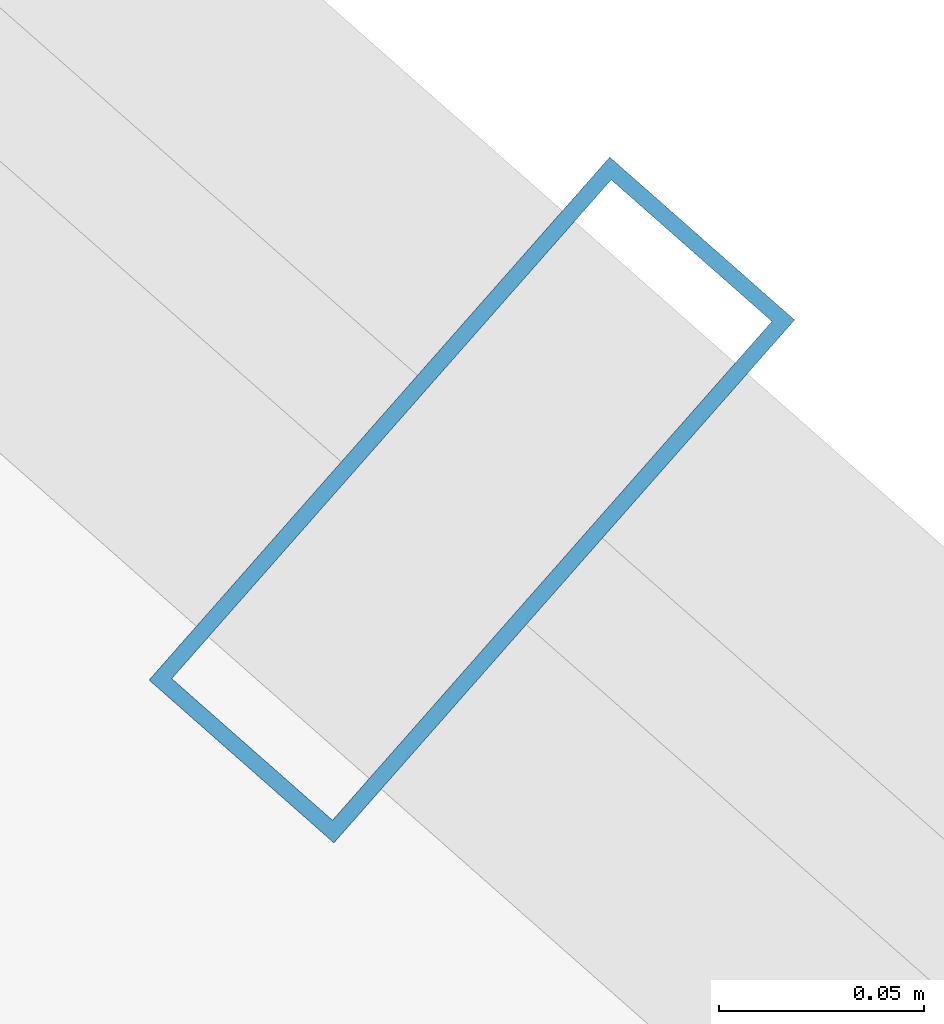
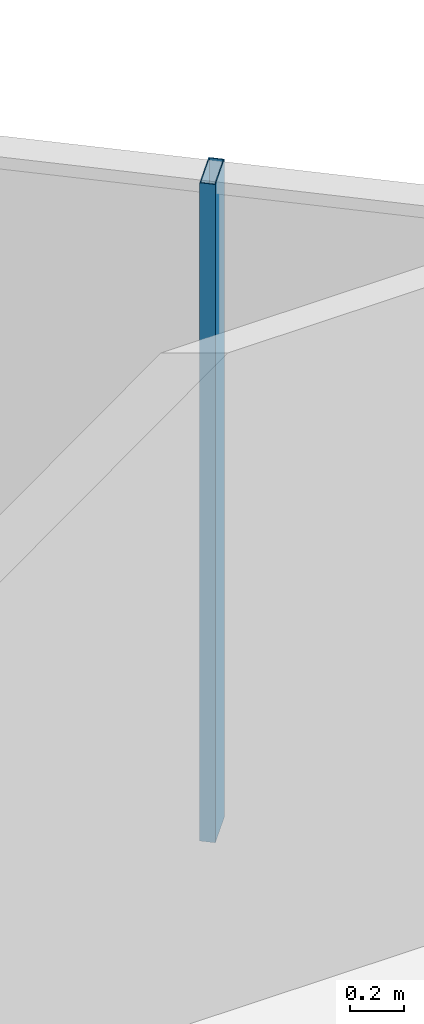
# One storey, part 24 of 32: 1 member, 1 element without a shape of its own.
"""IFC4 building model written with IfcOpenShell, lengths in metres."""

import ifcopenshell
import ifcopenshell.guid

model = None  # the IFC model being written
_history = None  # IfcOwnerHistory: only IFC2X3 demands one
_inside = {}  # id of a spatial element -> (the spatial element, [elements in it])
_under = {}  # id of a project, library or spatial element -> (it, [spatial elements below it])
_declared = {}  # id of a project -> (the project, [libraries it declares])
_typed = {}  # id of a type object -> (the type object, [elements of that type])
_made_of = {}  # id of a material, layer set ... -> (it, [elements and type objects made of it])


def new_model(schema):
    """Start an empty IFC model of exactly this schema.

    Asked for "IFC4X3", IfcOpenShell would pick the latest addendum, in which some entities
    have other attributes; the version numbers below select the first issue.
    IFC2X3 requires an IfcOwnerHistory on every rooted entity: one is made here for all.
    """
    global model, _history
    if schema == "IFC4X3":
        model = ifcopenshell.file(schema_version=(4, 3, 0, 0))
    else:
        model = ifcopenshell.file(schema=schema)
    _inside.clear()
    _under.clear()
    _declared.clear()
    _typed.clear()
    _made_of.clear()
    _history = None
    if model.schema == "IFC2X3":
        org = make("IfcOrganization", Name="unknown")
        user = make(
            "IfcPersonAndOrganization",
            ThePerson=make("IfcPerson", FamilyName="unknown"),
            TheOrganization=org,
        )
        app = make(
            "IfcApplication",
            ApplicationDeveloper=org,
            Version="unknown",
            ApplicationFullName="unknown",
            ApplicationIdentifier="unknown",
        )
        _history = make(
            "IfcOwnerHistory",
            OwningUser=user,
            OwningApplication=app,
            ChangeAction="ADDED",
            CreationDate=0,
        )
    return model


def make(cls, **values):
    """One entity of the class cls with the attributes given. An attribute that is None is left unset."""
    return model.create_entity(
        cls, **{name: value for name, value in values.items() if value is not None}
    )


def rooted(cls, **values):
    """An entity with a GlobalId (a new one), such as an element, a storey or a relation."""
    return make(cls, GlobalId=ifcopenshell.guid.new(), OwnerHistory=_history, **values)


def si_unit(unit_type, name, prefix=None):
    """IfcSIUnit, for example si_unit("LENGTHUNIT", "METRE", prefix="MILLI")."""
    return make("IfcSIUnit", UnitType=unit_type, Prefix=prefix, Name=name)


def assignment(units):
    """IfcUnitAssignment: the units of a project."""
    return None if units is None else make("IfcUnitAssignment", Units=units)


def point(xyz):
    """IfcCartesianPoint."""
    return None if xyz is None else make("IfcCartesianPoint", Coordinates=xyz)


def direction(xyz):
    """IfcDirection."""
    return None if xyz is None else make("IfcDirection", DirectionRatios=xyz)


def frame(location, z_axis=None, x_axis=None):
    """IfcAxis2Placement3D, a coordinate frame: its origin and axes. An axis left out is left unset."""
    return make(
        "IfcAxis2Placement3D",
        Location=point(location),
        Axis=direction(z_axis),
        RefDirection=direction(x_axis),
    )


def frame_2d(location, x_axis=None):
    """IfcAxis2Placement2D, a coordinate frame in the plane: its origin and x axis."""
    return make(
        "IfcAxis2Placement2D", Location=point(location), RefDirection=direction(x_axis)
    )


def origin():
    """The frame at (0, 0, 0) with its axes left unset."""
    return frame((0.0, 0.0, 0.0))


def origin_2d():
    """The frame at (0, 0) in the plane with its x axis left unset."""
    return frame_2d((0.0, 0.0))


def place(relative_to, where):
    """IfcLocalPlacement: puts the frame where relative to a parent placement (None: the world)."""
    return make(
        "IfcLocalPlacement", PlacementRelTo=relative_to, RelativePlacement=where
    )


def context(
    kind, dimensions, precision=None, world=None, true_north=None, identifier=None
):
    """IfcGeometricRepresentationContext, for example the 3D "Model" context."""
    return make(
        "IfcGeometricRepresentationContext",
        ContextIdentifier=identifier,
        ContextType=kind,
        CoordinateSpaceDimension=dimensions,
        Precision=precision,
        WorldCoordinateSystem=world,
        TrueNorth=true_north,
    )


def subcontext(parent, identifier, kind, view, scale=None):
    """IfcGeometricRepresentationSubContext, for example "Body" below "Model"."""
    return make(
        "IfcGeometricRepresentationSubContext",
        ContextIdentifier=identifier,
        ContextType=kind,
        ParentContext=parent,
        TargetScale=scale,
        TargetView=view,
    )


def project(units=None, contexts=None):
    """IfcProject with its units and contexts."""
    return rooted(
        "IfcProject",
        Name="project",
        RepresentationContexts=contexts,
        UnitsInContext=assignment(units),
    )


def spatial(cls, under=None, at=None, **own):
    """A site, building, storey or space (cls), placed at a placement, below another one or the project."""
    s = rooted(cls, ObjectPlacement=at, **own)
    if under is not None:
        _under.setdefault(under.id(), (under, []))[1].append(s)
    return s


def profile(cls, at=None, kind="AREA", **sizes):
    """A parametric profile (cls). Its sizes go by their IFC names, for example OverallWidth=200.0."""
    return make(cls, ProfileType=kind, Position=at, **sizes)


def hollow_rectangle(**sizes):
    """IfcRectangleHollowProfileDef."""
    return profile("IfcRectangleHollowProfileDef", **sizes)


def extrude(swept, where, along, depth):
    """IfcExtrudedAreaSolid: the profile swept, set in the frame where, extruded along a direction by depth."""
    return make(
        "IfcExtrudedAreaSolid",
        SweptArea=swept,
        Position=where,
        ExtrudedDirection=direction(along),
        Depth=depth,
    )


def shape(context_of_items, identifier, shape_type, items):
    """IfcShapeRepresentation: the items that make up one representation, for example the "Body"."""
    return make(
        "IfcShapeRepresentation",
        ContextOfItems=context_of_items,
        RepresentationIdentifier=identifier,
        RepresentationType=shape_type,
        Items=items,
    )


def source(mapping_origin, context_of_items, identifier, shape_type, items):
    """IfcRepresentationMap: a shape defined once, which mapped items show again and again."""
    return make(
        "IfcRepresentationMap",
        MappingOrigin=mapping_origin,
        MappedRepresentation=shape(context_of_items, identifier, shape_type, items),
    )


def transform(
    local_origin,
    x_axis=None,
    y_axis=None,
    z_axis=None,
    scale=None,
    scale2=None,
    scale3=None,
    uniform=True,
):
    """IfcCartesianTransformationOperator3D, or its non-uniform kind. x_axis, y_axis, z_axis: its Axis1, 2, 3."""
    if uniform:
        return make(
            "IfcCartesianTransformationOperator3D",
            Axis1=direction(x_axis),
            Axis2=direction(y_axis),
            LocalOrigin=point(local_origin),
            Scale=scale,
            Axis3=direction(z_axis),
        )
    return make(
        "IfcCartesianTransformationOperator3DnonUniform",
        Axis1=direction(x_axis),
        Axis2=direction(y_axis),
        LocalOrigin=point(local_origin),
        Scale=scale,
        Axis3=direction(z_axis),
        Scale2=scale2,
        Scale3=scale3,
    )


def mapped(mapping_source, mapping_target):
    """IfcMappedItem: shows the shape of a source again, moved by a transform."""
    return make(
        "IfcMappedItem", MappingSource=mapping_source, MappingTarget=mapping_target
    )


def material(Name=None, Category=None):
    """IfcMaterial."""
    return make("IfcMaterial", Name=Name, Category=Category)


def layer(
    of_material, thickness, ventilated=None, Name=None, Category=None, Priority=None
):
    """IfcMaterialLayer: one layer of a wall or slab, of a material (None: an air gap)."""
    return make(
        "IfcMaterialLayer",
        Material=of_material,
        LayerThickness=thickness,
        IsVentilated=ventilated,
        Name=Name,
        Category=Category,
        Priority=Priority,
    )


def layer_set(layers, Name=None):
    """IfcMaterialLayerSet."""
    return make("IfcMaterialLayerSet", MaterialLayers=layers, LayerSetName=Name)


def material_profile(
    of_material, cross_section, Name=None, Category=None, Priority=None
):
    """IfcMaterialProfile: a cross section and its material."""
    return make(
        "IfcMaterialProfile",
        Name=Name,
        Material=of_material,
        Profile=cross_section,
        Priority=Priority,
        Category=Category,
    )


def profile_set(profiles, Name=None, composite=None):
    """IfcMaterialProfileSet."""
    return make(
        "IfcMaterialProfileSet",
        Name=Name,
        MaterialProfiles=profiles,
        CompositeProfile=composite,
    )


def made_of(thing, what):
    """Note that an element or type object is made of a material, layer set ...; save() writes the relation."""
    if what is not None:
        _made_of.setdefault(what.id(), (what, []))[1].append(thing)
    return thing


def type_object(cls, material=None, **own):
    """A type object (cls), such as IfcWallType, which elements share."""
    return made_of(rooted(cls, **own), material)


def element(
    cls,
    number,
    at=None,
    inside=None,
    cuts=None,
    type_object=None,
    material=None,
    context=None,
    identifier="Body",
    shape_type=None,
    held_by="IfcProductDefinitionShape",
    body=None,
    shapes=None,
    **own,
):
    """One element of the class cls, such as IfcWall. Its Tag is "e" and its number.

    at: its placement. inside: the storey or other place that contains it. cuts: it is an
    opening in that element (IfcRelVoidsElement). A single representation is given by context,
    identifier, shape_type and body (its items); several are given by shapes. held_by: the class
    of the entity that holds the representations. save() writes the other relations.
    """
    e = rooted(cls, Tag="e%d" % number, ObjectPlacement=at, **own)
    if body is not None:
        shapes = [shape(context, identifier, shape_type, body)]
    if shapes is not None:
        e.Representation = make(held_by, Representations=shapes)
    if inside is not None:
        _inside.setdefault(inside.id(), (inside, []))[1].append(e)
    if cuts is not None:
        rooted(
            "IfcRelVoidsElement", RelatingBuildingElement=cuts, RelatedOpeningElement=e
        )
    if type_object is not None:
        _typed.setdefault(type_object.id(), (type_object, []))[1].append(e)
    return made_of(e, material)


def aggregate(whole, parts):
    """IfcRelAggregates: a whole, such as a stair, and the parts it consists of."""
    return rooted("IfcRelAggregates", RelatingObject=whole, RelatedObjects=parts)


def save(model, path):
    """Write the relations noted so far, then the file.

    IfcRelAggregates (storeys below a building ...), IfcRelContainedInSpatialStructure (elements
    in a storey), IfcRelDefinesByType, IfcRelAssociatesMaterial and IfcRelDeclares: one each for
    every whole, place, type object, material and project.
    """
    for whole, parts in _under.values():
        aggregate(whole, parts)
    for where, things in _inside.values():
        rooted(
            "IfcRelContainedInSpatialStructure",
            RelatedElements=things,
            RelatingStructure=where,
        )
    for kind, things in _typed.values():
        rooted("IfcRelDefinesByType", RelatedObjects=things, RelatingType=kind)
    for what, things in _made_of.values():
        rooted("IfcRelAssociatesMaterial", RelatedObjects=things, RelatingMaterial=what)
    for by, libraries in _declared.values():
        rooted("IfcRelDeclares", RelatingContext=by, RelatedDefinitions=libraries)
    model.write(path)


model = new_model("IFC4")

# Units and contexts
model_context = context("Model", 3, precision=1e-05, world=origin(), true_north=direction((0.0, 1.0)))
body_context = subcontext(model_context, "Body", "Model", "MODEL_VIEW")
ifc_project = project(units=[si_unit("LENGTHUNIT", "METRE"), si_unit("AREAUNIT", "SQUARE_METRE"), si_unit("VOLUMEUNIT", "CUBIC_METRE"), si_unit("PLANEANGLEUNIT", "RADIAN"), si_unit("MASSUNIT", "GRAM", prefix="KILO")], contexts=[model_context])

# Site, building, storey
site_placement = place(None, origin())
site = spatial("IfcSite", under=ifc_project, at=site_placement, CompositionType="ELEMENT")
building_placement = place(site_placement, origin())
building = spatial("IfcBuilding", under=site, at=building_placement, Name="Veraguas Prism Commons", CompositionType="ELEMENT")
storey_placement = place(building_placement, frame((0.0, 0.0, 89.449951171875)))
storey = spatial("IfcBuildingStorey", under=building, at=storey_placement, Name="L24", CompositionType="ELEMENT", Elevation=89.449951171875)

# Curtain wall, member
ifc_material = material(Name="Anodised aluminium EN AW-6063 T6", Category="aluminium")
ifc_layer = layer(ifc_material, 0.169921875, Name="Unitised Flush Curtain Wall Zone 2", Category="aluminium")
ifc_layer_set = layer_set([ifc_layer], Name="Anodised aluminium EN AW-6063 T6")
curtain_wall_type = type_object("IfcCurtainWallType", Name="Unitised Flush Curtain Wall Zone 2", PredefinedType="NOTDEFINED", material=ifc_layer_set)
curtain_wall_placement = place(storey_placement, origin())
curtain_wall = element("IfcCurtainWall", 1, at=curtain_wall_placement, inside=storey, type_object=curtain_wall_type, Name="Tower Facade Curtain Wall L24-F1", PredefinedType="NOTDEFINED")
ifc_material_profile = material_profile(ifc_material, hollow_rectangle(XDim=0.06005859375, YDim=0.169921875, WallThickness=0.00390625, at=origin_2d()), Name="AL60X170X4")
ifc_profile_set = profile_set([ifc_material_profile], Name="Anodised aluminium EN AW-6063 T6")
member_type = type_object("IfcMemberType", Name="Curtain Wall Mullion Lower AL 60x170x4", PredefinedType="MULLION", material=ifc_profile_set)
shared_shape = source(origin(), body_context, "Body", "SweptSolid", [
    extrude(hollow_rectangle(XDim=0.06005859375, YDim=0.169921875, WallThickness=0.00390625, at=origin_2d()), origin(), (0.0, 0.0, 1.0), 3.0),
])
member_placement = place(storey_placement, frame((36.6806640625, 38.393310546875, 0.0), z_axis=(0.0, 0.0, 1.0), x_axis=(-0.750341865315, 0.661049986881, 0.0)))
member = element("IfcMember", 2, at=member_placement, type_object=member_type, Name="CW-Z2 Mullion 3", PredefinedType="MULLION", context=body_context, shape_type="MappedRepresentation", body=[
    mapped(shared_shape, transform((0.0, 0.0, 0.0), scale=1.0)),
])
aggregate(curtain_wall, [member])

save(model, "model.ifc")
